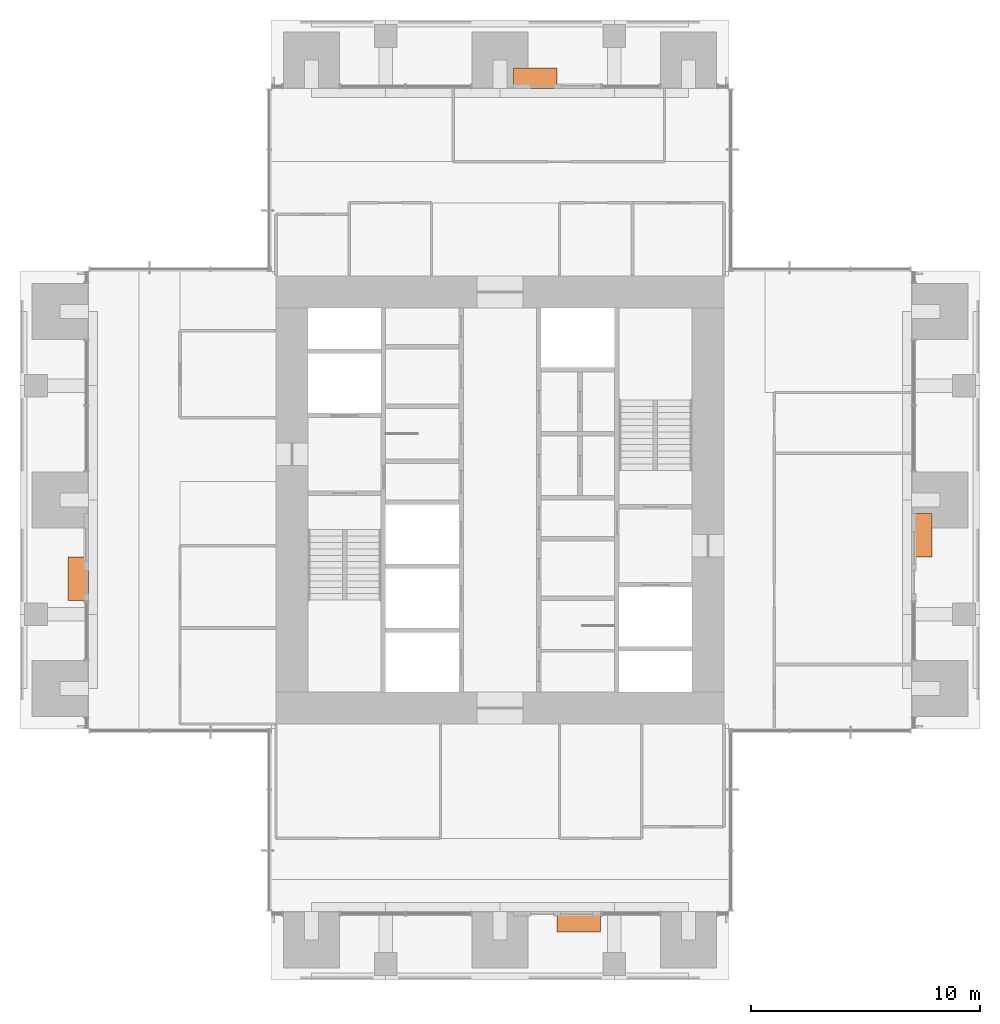
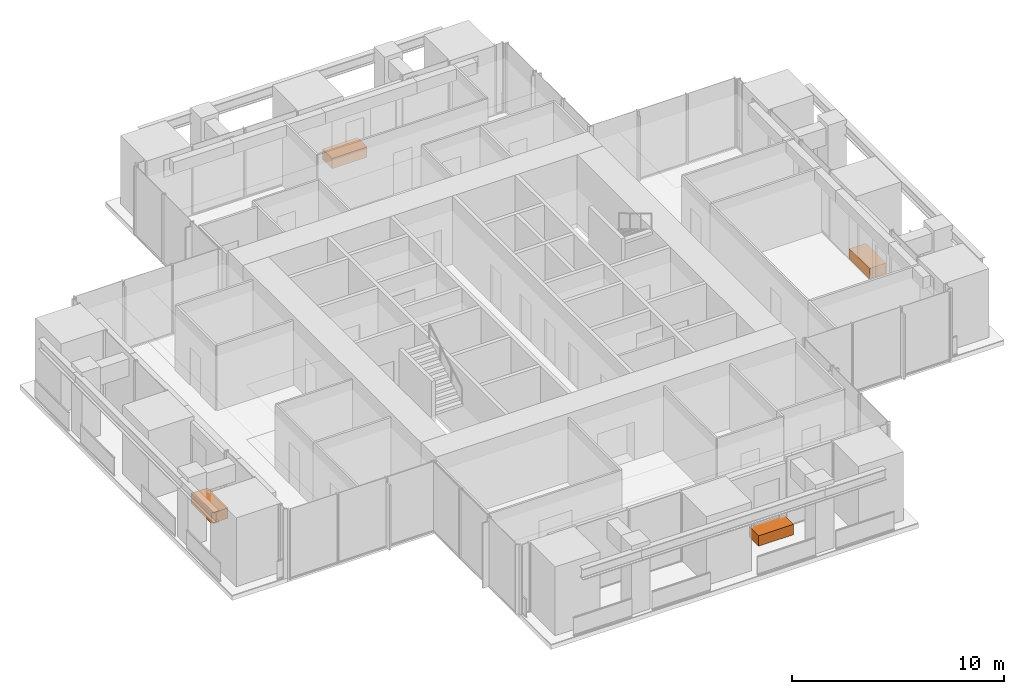
# One storey, part 17 of 17: 4 proxies.
"""IFC4 building model written with IfcOpenShell, lengths in metres."""

from ifc_helpers import new_model, si_unit, direction, frame, origin, origin_2d, place, context, subcontext, project, spatial, rectangle, extrude, element, save


model = new_model("IFC4")

# Units and contexts
model_context = context("Model", 3, precision=1e-05, world=origin(), true_north=direction((0.0, 1.0)))
body_context = subcontext(model_context, "Body", "Model", "MODEL_VIEW")
ifc_project = project(units=[si_unit("LENGTHUNIT", "METRE"), si_unit("AREAUNIT", "SQUARE_METRE"), si_unit("VOLUMEUNIT", "CUBIC_METRE"), si_unit("PLANEANGLEUNIT", "RADIAN"), si_unit("MASSUNIT", "GRAM", prefix="KILO")], contexts=[model_context])

# Site, building, storey
site_placement = place(None, origin())
site = spatial("IfcSite", under=ifc_project, at=site_placement, CompositionType="ELEMENT")
building_placement = place(site_placement, origin())
building = spatial("IfcBuilding", under=site, at=building_placement, Name="Svetlomir Tower", CompositionType="ELEMENT")
storey_placement = place(building_placement, frame((0.0, 0.0, 186.5)))
storey = spatial("IfcBuildingStorey", under=building, at=storey_placement, Name="L44", CompositionType="ELEMENT", Elevation=186.5)

# Proxies
proxy_1_placement = place(storey_placement, frame((24.449951171875, 2.550048828125, 0.0400390625), z_axis=(0.0, 0.0, 1.0), x_axis=(1.0, 0.0, 0.0)))
element("IfcBuildingElementProxy", 1, at=proxy_1_placement, inside=storey, Name="Tree planter S L44", ObjectType="PLANTER", PredefinedType="USERDEFINED", context=body_context, shape_type="SweptSolid", body=[
    extrude(rectangle(XDim=1.89990234375, YDim=0.89990234375, at=origin_2d()), origin(), (0.0, 0.0, 1.0), 0.60009765625),
])
proxy_2_placement = place(storey_placement, frame((39.449951171875, 19.449951171875, 0.0400390625), z_axis=(0.0, 0.0, 1.0), x_axis=(1.0, 0.0, 0.0)))
element("IfcBuildingElementProxy", 2, at=proxy_2_placement, inside=storey, Name="Tree planter E L44", ObjectType="PLANTER", PredefinedType="USERDEFINED", context=body_context, shape_type="SweptSolid", body=[
    extrude(rectangle(XDim=0.89990234375, YDim=1.89990234375, at=origin_2d()), origin(), (0.0, 0.0, 1.0), 0.60009765625),
])
proxy_3_placement = place(storey_placement, frame((22.550048828125, 39.449951171875, 0.0400390625), z_axis=(0.0, 0.0, 1.0), x_axis=(1.0, 0.0, 0.0)))
element("IfcBuildingElementProxy", 3, at=proxy_3_placement, inside=storey, Name="Tree planter N L44", ObjectType="PLANTER", PredefinedType="USERDEFINED", context=body_context, shape_type="SweptSolid", body=[
    extrude(rectangle(XDim=1.89990234375, YDim=0.89990234375, at=origin_2d()), origin(), (0.0, 0.0, 1.0), 0.60009765625),
])
proxy_4_placement = place(storey_placement, frame((2.550048828125, 17.550048828125, 0.0400390625), z_axis=(0.0, 0.0, 1.0), x_axis=(1.0, 0.0, 0.0)))
element("IfcBuildingElementProxy", 4, at=proxy_4_placement, inside=storey, Name="Tree planter W L44", ObjectType="PLANTER", PredefinedType="USERDEFINED", context=body_context, shape_type="SweptSolid", body=[
    extrude(rectangle(XDim=0.89990234375, YDim=1.89990234375, at=origin_2d()), origin(), (0.0, 0.0, 1.0), 0.60009765625),
])

save(model, "model.ifc")
